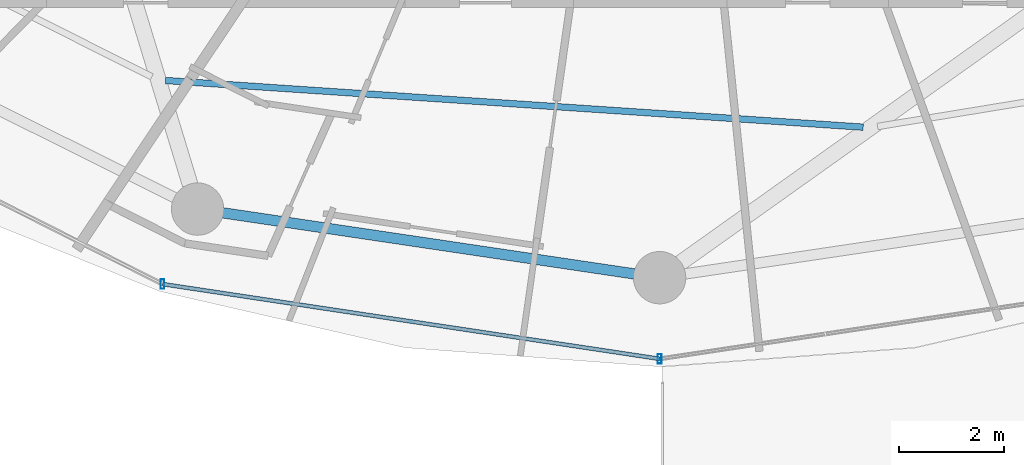
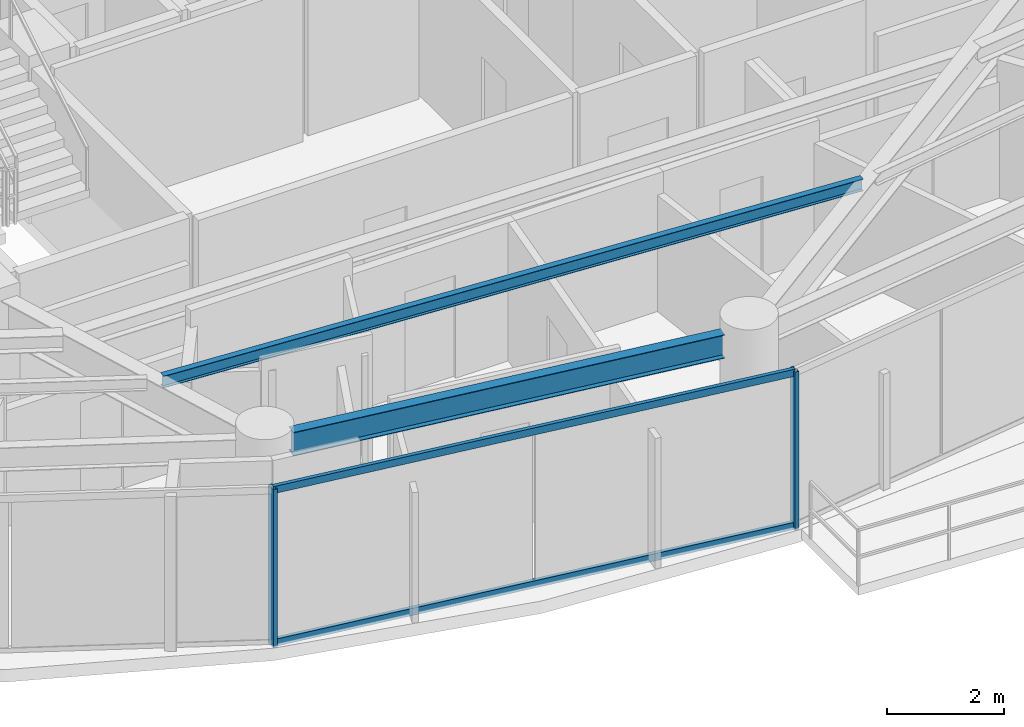
# One storey, part 5 of 29: 4 members, 2 beams, 1 element without a shape of its own.
"""IFC4 building model written with IfcOpenShell, lengths in metres."""

from ifc_helpers import new_model, si_unit, direction, frame, origin, origin_2d, place, context, subcontext, project, spatial, hollow_rectangle, i_section, extrude, material, material_profile, profile_set, type_object, element, aggregate, save


model = new_model("IFC4")

# Units and contexts
model_context = context("Model", 3, precision=1e-05, world=origin(), true_north=direction((0.0, 1.0)))
body_context = subcontext(model_context, "Body", "Model", "MODEL_VIEW")
ifc_project = project(units=[si_unit("LENGTHUNIT", "METRE"), si_unit("AREAUNIT", "SQUARE_METRE"), si_unit("VOLUMEUNIT", "CUBIC_METRE"), si_unit("PLANEANGLEUNIT", "RADIAN"), si_unit("MASSUNIT", "GRAM", prefix="KILO")], contexts=[model_context])

# Site, building, storey
site_placement = place(None, origin())
site = spatial("IfcSite", under=ifc_project, at=site_placement, CompositionType="ELEMENT")
building_placement = place(site_placement, origin())
building = spatial("IfcBuilding", under=site, at=building_placement, Name="Vorneva Point Tower", CompositionType="ELEMENT")
storey_placement = place(building_placement, frame((0.0, 0.0, 150.10009765625)))
storey = spatial("IfcBuildingStorey", under=building, at=storey_placement, Name="L40", CompositionType="ELEMENT", Elevation=150.10009765625)

# Beams
ifc_material_1 = material(Name="Steel S355", Category="steel")
ifc_material_profile_1 = material_profile(ifc_material_1, i_section(OverallWidth=0.1240234375, OverallDepth=0.248046875, WebThickness=0.0048828125, FlangeThickness=0.008056640625, at=origin_2d()), Name="25B1")
ifc_profile_set_1 = profile_set([ifc_material_profile_1], Name="Steel S355")
beam_type_1 = type_object("IfcBeamType", Name="BM-JST-25B1", PredefinedType="JOIST", material=ifc_profile_set_1)
beam_1_placement = place(storey_placement, frame((28.567138671875, 12.564453125, 3.115966796875), z_axis=(0.997769675218, -0.066750844307, 0.0), x_axis=(0.066750844307, 0.997769675218, 0.0)))
element("IfcBeam", 1, at=beam_1_placement, inside=storey, type_object=beam_type_1, Name="L40 Secondary Floor Beam 1.12", PredefinedType="JOIST", context=body_context, shape_type="SweptSolid", body=[
    extrude(i_section(OverallWidth=0.1240234375, OverallDepth=0.248046875, WebThickness=0.0048828125, FlangeThickness=0.008056640625, at=origin_2d()), origin(), (0.0, 0.0, 1.0), 13.349853515625),
])
ifc_material_profile_2 = material_profile(ifc_material_1, i_section(OverallWidth=0.199951171875, OverallDepth=0.491943359375, WebThickness=0.0087890625, FlangeThickness=0.011962890625, at=origin_2d()), Name="50B1")
ifc_profile_set_2 = profile_set([ifc_material_profile_2], Name="Steel S355")
beam_type_2 = type_object("IfcBeamType", Name="BM-SPN-50B1", PredefinedType="SPANDREL", material=ifc_profile_set_2)
beam_2_placement = place(storey_placement, frame((29.65869140625, 10.0380859375, 2.993896484375), z_axis=(0.989161199046, -0.146833655211, 0.0), x_axis=(0.146833655211, 0.989161199046, 0.0)))
element("IfcBeam", 2, at=beam_2_placement, inside=storey, type_object=beam_type_2, Name="L40 Perimeter Spandrel Ring Beam 12", PredefinedType="SPANDREL", context=body_context, shape_type="SweptSolid", body=[
    extrude(i_section(OverallWidth=0.199951171875, OverallDepth=0.491943359375, WebThickness=0.0087890625, FlangeThickness=0.011962890625, at=origin_2d()), origin(), (0.0, 0.0, 1.0), 7.94775390625),
])

# Curtain wall, members
ifc_material_2 = material(Name="Pale anodised aluminium", Category="aluminium")
curtain_wall_type = type_object("IfcCurtainWallType", Name="CW-RES-SYS", PredefinedType="NOTDEFINED", material=ifc_material_2)
curtain_wall_placement = place(storey_placement, origin())
curtain_wall = element("IfcCurtainWall", 3, at=curtain_wall_placement, inside=storey, type_object=curtain_wall_type, Name="L40 Unitised Curtain Wall CW-L40-R04", PredefinedType="NOTDEFINED")
ifc_material_profile_3 = material_profile(ifc_material_2, hollow_rectangle(XDim=0.074951171875, YDim=0.179931640625, WallThickness=0.00390625, at=origin_2d()), Name="AL-MUL 180x75x4")
ifc_profile_set_3 = profile_set([ifc_material_profile_3], Name="Pale anodised aluminium")
member_type_1 = type_object("IfcMemberType", Name="CW-MUL-180", PredefinedType="MULLION", material=ifc_profile_set_3)
member_1_placement = place(storey_placement, frame((28.509521484375, 8.67724609375, -0.0400390625), z_axis=(0.0, 0.0, 1.0), x_axis=(1.0, 0.0, 0.0)))
member_1 = element("IfcMember", 4, at=member_1_placement, type_object=member_type_1, Name="CW-L40-R04 Mullion 02", PredefinedType="MULLION", context=body_context, shape_type="SweptSolid", body=[
    extrude(hollow_rectangle(XDim=0.074951171875, YDim=0.179931640625, WallThickness=0.00390625, at=origin_2d()), origin(), (0.0, 0.0, 1.0), 3.31005859375),
])
member_2_placement = place(storey_placement, frame((38.0, 7.25, -0.0400390625), z_axis=(0.0, 0.0, 1.0), x_axis=(1.0, 0.0, 0.0)))
member_2 = element("IfcMember", 5, at=member_2_placement, type_object=member_type_1, Name="CW-L40-R04 Mullion 03", PredefinedType="MULLION", context=body_context, shape_type="SweptSolid", body=[
    extrude(hollow_rectangle(XDim=0.074951171875, YDim=0.179931640625, WallThickness=0.00390625, at=origin_2d()), origin(), (0.0, 0.0, 1.0), 3.31005859375),
])
ifc_material_profile_4 = material_profile(ifc_material_2, hollow_rectangle(XDim=0.074951171875, YDim=0.14990234375, WallThickness=0.00390625, at=origin_2d()), Name="AL-TRN 150x75x4")
ifc_profile_set_4 = profile_set([ifc_material_profile_4], Name="Pale anodised aluminium")
member_type_2 = type_object("IfcMemberType", Name="CW-TRN-150", PredefinedType="USERDEFINED", material=ifc_profile_set_4)
member_3_placement = place(storey_placement, frame((28.509521484375, 8.67724609375, 0.02001953125), z_axis=(0.988880117727, -0.148714870687, 0.0), x_axis=(0.148714870687, 0.988880117727, 0.0)))
member_3 = element("IfcMember", 6, at=member_3_placement, type_object=member_type_2, Name="CW-L40-R04 Transom 02.1", ObjectType="TRANSOM", PredefinedType="USERDEFINED", context=body_context, shape_type="SweptSolid", body=[
    extrude(hollow_rectangle(XDim=0.074951171875, YDim=0.14990234375, WallThickness=0.00390625, at=origin_2d()), origin(), (0.0, 0.0, 1.0), 9.59716796875),
])
member_4_placement = place(storey_placement, frame((28.509521484375, 8.67724609375, 3.219970703125), z_axis=(0.988880117727, -0.148714870687, 0.0), x_axis=(0.148714870687, 0.988880117727, 0.0)))
member_4 = element("IfcMember", 7, at=member_4_placement, type_object=member_type_2, Name="CW-L40-R04 Transom 02.2", ObjectType="TRANSOM", PredefinedType="USERDEFINED", context=body_context, shape_type="SweptSolid", body=[
    extrude(hollow_rectangle(XDim=0.074951171875, YDim=0.14990234375, WallThickness=0.00390625, at=origin_2d()), origin(), (0.0, 0.0, 1.0), 9.59716796875),
])
aggregate(curtain_wall, [member_1, member_2, member_3, member_4])

save(model, "model.ifc")
